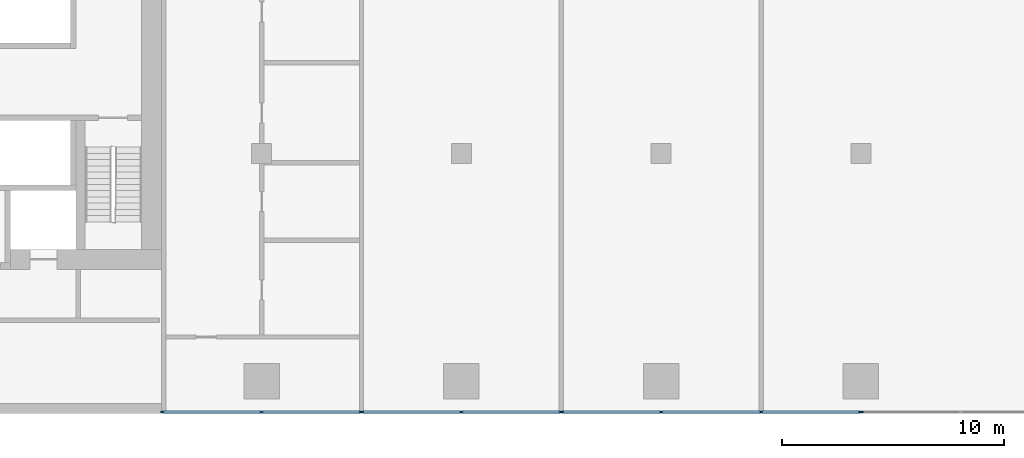
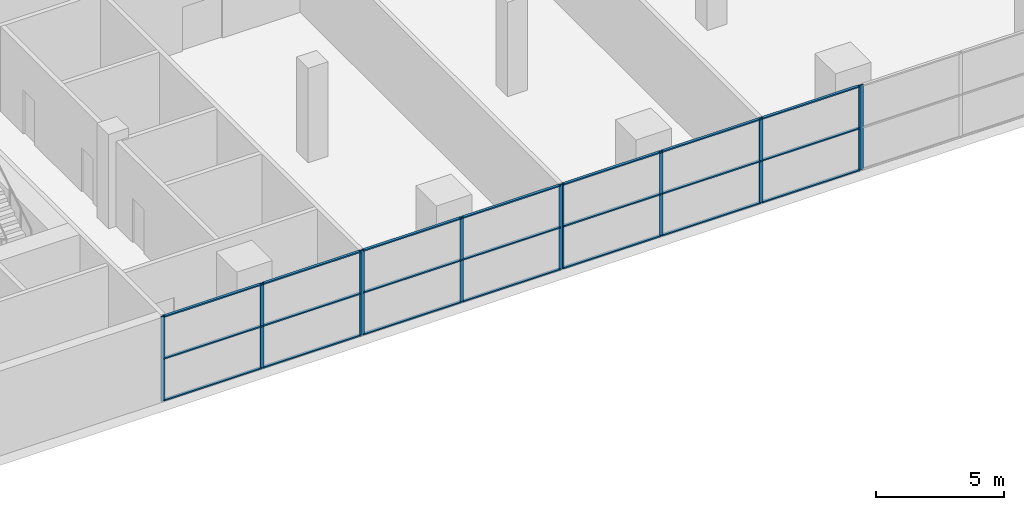
# One storey, part 2 of 19: 32 members, 4 elements without a shape of their own.
"""IFC4 building model written with IfcOpenShell, lengths in metres."""

from ifc_helpers import new_model, si_unit, direction, frame, origin, origin_2d, place, context, subcontext, project, spatial, rectangle, extrude, material, material_profile, profile_set, type_object, element, aggregate, save


model = new_model("IFC4")

# Units and contexts
model_context = context("Model", 3, precision=1e-05, world=origin(), true_north=direction((0.0, 1.0)))
body_context = subcontext(model_context, "Body", "Model", "MODEL_VIEW")
ifc_project = project(units=[si_unit("LENGTHUNIT", "METRE"), si_unit("AREAUNIT", "SQUARE_METRE"), si_unit("VOLUMEUNIT", "CUBIC_METRE"), si_unit("PLANEANGLEUNIT", "RADIAN"), si_unit("MASSUNIT", "GRAM", prefix="KILO")], contexts=[model_context])

# Site, building, storey
site_placement = place(None, origin())
site = spatial("IfcSite", under=ifc_project, at=site_placement, CompositionType="ELEMENT")
building_placement = place(site_placement, origin())
building = spatial("IfcBuilding", under=site, at=building_placement, Name="Kajstack Hotel Tower", CompositionType="ELEMENT")
storey_placement = place(building_placement, frame((0.0, 0.0, 33.5)))
storey = spatial("IfcBuildingStorey", under=building, at=storey_placement, Name="L05", CompositionType="ELEMENT", Elevation=33.5)

# Curtain wall, members
ifc_material_1 = material(Name="Aluminium-framed curtain wall, solar-control glass", Category="aluminium")
curtain_wall_type = type_object("IfcCurtainWallType", Name="CW-CLUB", PredefinedType="NOTDEFINED", material=ifc_material_1)
curtain_wall_1_placement = place(storey_placement, origin())
curtain_wall_1 = element("IfcCurtainWall", 1, at=curtain_wall_1_placement, inside=storey, type_object=curtain_wall_type, Name="Curtain wall CU4 L05-03-02-0", PredefinedType="NOTDEFINED")
ifc_material_2 = material(Name="Aluminium", Category="aluminium")
ifc_material_profile_1 = material_profile(ifc_material_2, rectangle(XDim=0.06005859375, YDim=0.159912109375, at=origin_2d()), Name="Aluminium mullion 60 x 160")
ifc_profile_set_1 = profile_set([ifc_material_profile_1], Name="Aluminium")
member_type_1 = type_object("IfcMemberType", Name="CW-M-CLUB", PredefinedType="MULLION", material=ifc_profile_set_1)
member_1_placement = place(storey_placement, frame((-13.469970703125, -21.925048828125, 0.0), z_axis=(0.0, 0.0, 1.0), x_axis=(0.0, 1.0, 0.0)))
member_1 = element("IfcMember", 2, at=member_1_placement, type_object=member_type_1, Name="CU4 mullion 1", PredefinedType="MULLION", context=body_context, shape_type="SweptSolid", body=[
    extrude(rectangle(XDim=0.06005859375, YDim=0.159912109375, at=origin_2d()), origin(), (0.0, 0.0, 1.0), 4.050048828125),
])
member_2_placement = place(storey_placement, frame((-9.0, -21.925048828125, 0.0), z_axis=(0.0, 0.0, 1.0), x_axis=(0.0, 1.0, 0.0)))
member_2 = element("IfcMember", 3, at=member_2_placement, type_object=member_type_1, Name="CU4 mullion 2", PredefinedType="MULLION", context=body_context, shape_type="SweptSolid", body=[
    extrude(rectangle(XDim=0.06005859375, YDim=0.159912109375, at=origin_2d()), origin(), (0.0, 0.0, 1.0), 4.050048828125),
])
member_3_placement = place(storey_placement, frame((-4.530029296875, -21.925048828125, 0.0), z_axis=(0.0, 0.0, 1.0), x_axis=(0.0, 1.0, 0.0)))
member_3 = element("IfcMember", 4, at=member_3_placement, type_object=member_type_1, Name="CU4 mullion 3", PredefinedType="MULLION", context=body_context, shape_type="SweptSolid", body=[
    extrude(rectangle(XDim=0.06005859375, YDim=0.159912109375, at=origin_2d()), origin(), (0.0, 0.0, 1.0), 4.050048828125),
])

curtain_wall_2_placement = place(storey_placement, origin())
curtain_wall_2 = element("IfcCurtainWall", 5, at=curtain_wall_2_placement, inside=storey, type_object=curtain_wall_type, Name="Curtain wall CU4 L05-03-02-1", PredefinedType="NOTDEFINED")
member_4_placement = place(storey_placement, frame((-4.469970703125, -21.925048828125, 0.0), z_axis=(0.0, 0.0, 1.0), x_axis=(0.0, 1.0, 0.0)))
member_4 = element("IfcMember", 6, at=member_4_placement, type_object=member_type_1, Name="CU4 mullion 1", PredefinedType="MULLION", context=body_context, shape_type="SweptSolid", body=[
    extrude(rectangle(XDim=0.06005859375, YDim=0.159912109375, at=origin_2d()), origin(), (0.0, 0.0, 1.0), 4.050048828125),
])
member_5_placement = place(storey_placement, frame((0.0, -21.925048828125, 0.0), z_axis=(0.0, 0.0, 1.0), x_axis=(0.0, 1.0, 0.0)))
member_5 = element("IfcMember", 7, at=member_5_placement, type_object=member_type_1, Name="CU4 mullion 2", PredefinedType="MULLION", context=body_context, shape_type="SweptSolid", body=[
    extrude(rectangle(XDim=0.06005859375, YDim=0.159912109375, at=origin_2d()), origin(), (0.0, 0.0, 1.0), 4.050048828125),
])
member_6_placement = place(storey_placement, frame((4.469970703125, -21.925048828125, 0.0), z_axis=(0.0, 0.0, 1.0), x_axis=(0.0, 1.0, 0.0)))
member_6 = element("IfcMember", 8, at=member_6_placement, type_object=member_type_1, Name="CU4 mullion 3", PredefinedType="MULLION", context=body_context, shape_type="SweptSolid", body=[
    extrude(rectangle(XDim=0.06005859375, YDim=0.159912109375, at=origin_2d()), origin(), (0.0, 0.0, 1.0), 4.050048828125),
])

curtain_wall_3_placement = place(storey_placement, origin())
curtain_wall_3 = element("IfcCurtainWall", 9, at=curtain_wall_3_placement, inside=storey, type_object=curtain_wall_type, Name="Curtain wall CU4 L05-03-02-2", PredefinedType="NOTDEFINED")
member_7_placement = place(storey_placement, frame((4.530029296875, -21.925048828125, 0.0), z_axis=(0.0, 0.0, 1.0), x_axis=(0.0, 1.0, 0.0)))
member_7 = element("IfcMember", 10, at=member_7_placement, type_object=member_type_1, Name="CU4 mullion 1", PredefinedType="MULLION", context=body_context, shape_type="SweptSolid", body=[
    extrude(rectangle(XDim=0.06005859375, YDim=0.159912109375, at=origin_2d()), origin(), (0.0, 0.0, 1.0), 4.050048828125),
])
member_8_placement = place(storey_placement, frame((9.0, -21.925048828125, 0.0), z_axis=(0.0, 0.0, 1.0), x_axis=(0.0, 1.0, 0.0)))
member_8 = element("IfcMember", 11, at=member_8_placement, type_object=member_type_1, Name="CU4 mullion 2", PredefinedType="MULLION", context=body_context, shape_type="SweptSolid", body=[
    extrude(rectangle(XDim=0.06005859375, YDim=0.159912109375, at=origin_2d()), origin(), (0.0, 0.0, 1.0), 4.050048828125),
])
member_9_placement = place(storey_placement, frame((13.5, -21.925048828125, 0.0), z_axis=(0.0, 0.0, 1.0), x_axis=(0.0, 1.0, 0.0)))
member_9 = element("IfcMember", 12, at=member_9_placement, type_object=member_type_1, Name="CU4 mullion 3", PredefinedType="MULLION", context=body_context, shape_type="SweptSolid", body=[
    extrude(rectangle(XDim=0.06005859375, YDim=0.159912109375, at=origin_2d()), origin(), (0.0, 0.0, 1.0), 4.050048828125),
])
member_10_placement = place(storey_placement, frame((17.969970703125, -21.925048828125, 0.0), z_axis=(0.0, 0.0, 1.0), x_axis=(0.0, 1.0, 0.0)))
member_10 = element("IfcMember", 13, at=member_10_placement, type_object=member_type_1, Name="CU4 mullion 4", PredefinedType="MULLION", context=body_context, shape_type="SweptSolid", body=[
    extrude(rectangle(XDim=0.06005859375, YDim=0.159912109375, at=origin_2d()), origin(), (0.0, 0.0, 1.0), 4.050048828125),
])

# Curtain wall, member
curtain_wall_4_placement = place(storey_placement, origin())
curtain_wall_4 = element("IfcCurtainWall", 14, at=curtain_wall_4_placement, inside=storey, type_object=curtain_wall_type, Name="Curtain wall CU4 L05-03-02-3", PredefinedType="NOTDEFINED")
member_11_placement = place(storey_placement, frame((18.030029296875, -21.925048828125, 0.0), z_axis=(0.0, 0.0, 1.0), x_axis=(0.0, 1.0, 0.0)))
member_11 = element("IfcMember", 15, at=member_11_placement, type_object=member_type_1, Name="CU4 mullion 1", PredefinedType="MULLION", context=body_context, shape_type="SweptSolid", body=[
    extrude(rectangle(XDim=0.06005859375, YDim=0.159912109375, at=origin_2d()), origin(), (0.0, 0.0, 1.0), 4.050048828125),
])
aggregate(curtain_wall_4, [member_11])

# Member
ifc_material_profile_2 = material_profile(ifc_material_2, rectangle(XDim=0.1201171875, YDim=0.06005859375, at=origin_2d()), Name="Aluminium transom 120 x 60")
ifc_profile_set_2 = profile_set([ifc_material_profile_2], Name="Aluminium")
member_type_2 = type_object("IfcMemberType", Name="CW-T-CLUB", PredefinedType="USERDEFINED", material=ifc_profile_set_2)
member_12_placement = place(storey_placement, frame((-13.43994140625, -21.925048828125, 0.030029296875), z_axis=(1.0, 0.0, 0.0), x_axis=(0.0, 1.0, 0.0)))
member_12 = element("IfcMember", 16, at=member_12_placement, type_object=member_type_2, Name="CU4 transom 1.1", ObjectType="TRANSOM", PredefinedType="USERDEFINED", context=body_context, shape_type="SweptSolid", body=[
    extrude(rectangle(XDim=0.1201171875, YDim=0.06005859375, at=origin_2d()), origin(), (0.0, 0.0, 1.0), 4.409912109375),
])

member_13_placement = place(storey_placement, frame((-13.43994140625, -21.925048828125, 2.02490234375), z_axis=(1.0, 0.0, 0.0), x_axis=(0.0, 1.0, 0.0)))
member_13 = element("IfcMember", 17, at=member_13_placement, type_object=member_type_2, Name="CU4 transom 1.2", ObjectType="TRANSOM", PredefinedType="USERDEFINED", context=body_context, shape_type="SweptSolid", body=[
    extrude(rectangle(XDim=0.1201171875, YDim=0.06005859375, at=origin_2d()), origin(), (0.0, 0.0, 1.0), 4.409912109375),
])

member_14_placement = place(storey_placement, frame((-13.43994140625, -21.925048828125, 4.02001953125), z_axis=(1.0, 0.0, 0.0), x_axis=(0.0, 1.0, 0.0)))
member_14 = element("IfcMember", 18, at=member_14_placement, type_object=member_type_2, Name="CU4 transom 1.3", ObjectType="TRANSOM", PredefinedType="USERDEFINED", context=body_context, shape_type="SweptSolid", body=[
    extrude(rectangle(XDim=0.1201171875, YDim=0.06005859375, at=origin_2d()), origin(), (0.0, 0.0, 1.0), 4.409912109375),
])

member_15_placement = place(storey_placement, frame((-8.969970703125, -21.925048828125, 0.030029296875), z_axis=(1.0, 0.0, 0.0), x_axis=(0.0, 1.0, 0.0)))
member_15 = element("IfcMember", 19, at=member_15_placement, type_object=member_type_2, Name="CU4 transom 2.1", ObjectType="TRANSOM", PredefinedType="USERDEFINED", context=body_context, shape_type="SweptSolid", body=[
    extrude(rectangle(XDim=0.1201171875, YDim=0.06005859375, at=origin_2d()), origin(), (0.0, 0.0, 1.0), 4.409912109375),
])

member_16_placement = place(storey_placement, frame((-8.969970703125, -21.925048828125, 2.02490234375), z_axis=(1.0, 0.0, 0.0), x_axis=(0.0, 1.0, 0.0)))
member_16 = element("IfcMember", 20, at=member_16_placement, type_object=member_type_2, Name="CU4 transom 2.2", ObjectType="TRANSOM", PredefinedType="USERDEFINED", context=body_context, shape_type="SweptSolid", body=[
    extrude(rectangle(XDim=0.1201171875, YDim=0.06005859375, at=origin_2d()), origin(), (0.0, 0.0, 1.0), 4.409912109375),
])

member_17_placement = place(storey_placement, frame((-8.969970703125, -21.925048828125, 4.02001953125), z_axis=(1.0, 0.0, 0.0), x_axis=(0.0, 1.0, 0.0)))
member_17 = element("IfcMember", 21, at=member_17_placement, type_object=member_type_2, Name="CU4 transom 2.3", ObjectType="TRANSOM", PredefinedType="USERDEFINED", context=body_context, shape_type="SweptSolid", body=[
    extrude(rectangle(XDim=0.1201171875, YDim=0.06005859375, at=origin_2d()), origin(), (0.0, 0.0, 1.0), 4.409912109375),
])

aggregate(curtain_wall_1, [member_1, member_2, member_3, member_12, member_13, member_14, member_15, member_16, member_17])

member_18_placement = place(storey_placement, frame((-4.43994140625, -21.925048828125, 0.030029296875), z_axis=(1.0, 0.0, 0.0), x_axis=(0.0, 1.0, 0.0)))
member_18 = element("IfcMember", 22, at=member_18_placement, type_object=member_type_2, Name="CU4 transom 1.1", ObjectType="TRANSOM", PredefinedType="USERDEFINED", context=body_context, shape_type="SweptSolid", body=[
    extrude(rectangle(XDim=0.1201171875, YDim=0.06005859375, at=origin_2d()), origin(), (0.0, 0.0, 1.0), 4.409912109375),
])

member_19_placement = place(storey_placement, frame((-4.43994140625, -21.925048828125, 2.02490234375), z_axis=(1.0, 0.0, 0.0), x_axis=(0.0, 1.0, 0.0)))
member_19 = element("IfcMember", 23, at=member_19_placement, type_object=member_type_2, Name="CU4 transom 1.2", ObjectType="TRANSOM", PredefinedType="USERDEFINED", context=body_context, shape_type="SweptSolid", body=[
    extrude(rectangle(XDim=0.1201171875, YDim=0.06005859375, at=origin_2d()), origin(), (0.0, 0.0, 1.0), 4.409912109375),
])

member_20_placement = place(storey_placement, frame((-4.43994140625, -21.925048828125, 4.02001953125), z_axis=(1.0, 0.0, 0.0), x_axis=(0.0, 1.0, 0.0)))
member_20 = element("IfcMember", 24, at=member_20_placement, type_object=member_type_2, Name="CU4 transom 1.3", ObjectType="TRANSOM", PredefinedType="USERDEFINED", context=body_context, shape_type="SweptSolid", body=[
    extrude(rectangle(XDim=0.1201171875, YDim=0.06005859375, at=origin_2d()), origin(), (0.0, 0.0, 1.0), 4.409912109375),
])

member_21_placement = place(storey_placement, frame((0.030029296875, -21.925048828125, 0.030029296875), z_axis=(1.0, 0.0, 0.0), x_axis=(0.0, 1.0, 0.0)))
member_21 = element("IfcMember", 25, at=member_21_placement, type_object=member_type_2, Name="CU4 transom 2.1", ObjectType="TRANSOM", PredefinedType="USERDEFINED", context=body_context, shape_type="SweptSolid", body=[
    extrude(rectangle(XDim=0.1201171875, YDim=0.06005859375, at=origin_2d()), origin(), (0.0, 0.0, 1.0), 4.409912109375),
])

member_22_placement = place(storey_placement, frame((0.030029296875, -21.925048828125, 2.02490234375), z_axis=(1.0, 0.0, 0.0), x_axis=(0.0, 1.0, 0.0)))
member_22 = element("IfcMember", 26, at=member_22_placement, type_object=member_type_2, Name="CU4 transom 2.2", ObjectType="TRANSOM", PredefinedType="USERDEFINED", context=body_context, shape_type="SweptSolid", body=[
    extrude(rectangle(XDim=0.1201171875, YDim=0.06005859375, at=origin_2d()), origin(), (0.0, 0.0, 1.0), 4.409912109375),
])

member_23_placement = place(storey_placement, frame((0.030029296875, -21.925048828125, 4.02001953125), z_axis=(1.0, 0.0, 0.0), x_axis=(0.0, 1.0, 0.0)))
member_23 = element("IfcMember", 27, at=member_23_placement, type_object=member_type_2, Name="CU4 transom 2.3", ObjectType="TRANSOM", PredefinedType="USERDEFINED", context=body_context, shape_type="SweptSolid", body=[
    extrude(rectangle(XDim=0.1201171875, YDim=0.06005859375, at=origin_2d()), origin(), (0.0, 0.0, 1.0), 4.409912109375),
])

aggregate(curtain_wall_2, [member_4, member_5, member_6, member_18, member_19, member_20, member_21, member_22, member_23])

member_24_placement = place(storey_placement, frame((4.56005859375, -21.925048828125, 0.030029296875), z_axis=(1.0, 0.0, 0.0), x_axis=(0.0, 1.0, 0.0)))
member_24 = element("IfcMember", 28, at=member_24_placement, type_object=member_type_2, Name="CU4 transom 1.1", ObjectType="TRANSOM", PredefinedType="USERDEFINED", context=body_context, shape_type="SweptSolid", body=[
    extrude(rectangle(XDim=0.1201171875, YDim=0.06005859375, at=origin_2d()), origin(), (0.0, 0.0, 1.0), 4.409912109375),
])

member_25_placement = place(storey_placement, frame((4.56005859375, -21.925048828125, 2.02490234375), z_axis=(1.0, 0.0, 0.0), x_axis=(0.0, 1.0, 0.0)))
member_25 = element("IfcMember", 29, at=member_25_placement, type_object=member_type_2, Name="CU4 transom 1.2", ObjectType="TRANSOM", PredefinedType="USERDEFINED", context=body_context, shape_type="SweptSolid", body=[
    extrude(rectangle(XDim=0.1201171875, YDim=0.06005859375, at=origin_2d()), origin(), (0.0, 0.0, 1.0), 4.409912109375),
])

member_26_placement = place(storey_placement, frame((4.56005859375, -21.925048828125, 4.02001953125), z_axis=(1.0, 0.0, 0.0), x_axis=(0.0, 1.0, 0.0)))
member_26 = element("IfcMember", 30, at=member_26_placement, type_object=member_type_2, Name="CU4 transom 1.3", ObjectType="TRANSOM", PredefinedType="USERDEFINED", context=body_context, shape_type="SweptSolid", body=[
    extrude(rectangle(XDim=0.1201171875, YDim=0.06005859375, at=origin_2d()), origin(), (0.0, 0.0, 1.0), 4.409912109375),
])

member_27_placement = place(storey_placement, frame((9.030029296875, -21.925048828125, 0.030029296875), z_axis=(1.0, 0.0, 0.0), x_axis=(0.0, 1.0, 0.0)))
member_27 = element("IfcMember", 31, at=member_27_placement, type_object=member_type_2, Name="CU4 transom 2.1", ObjectType="TRANSOM", PredefinedType="USERDEFINED", context=body_context, shape_type="SweptSolid", body=[
    extrude(rectangle(XDim=0.1201171875, YDim=0.06005859375, at=origin_2d()), origin(), (0.0, 0.0, 1.0), 4.43994140625),
])

member_28_placement = place(storey_placement, frame((9.030029296875, -21.925048828125, 2.02490234375), z_axis=(1.0, 0.0, 0.0), x_axis=(0.0, 1.0, 0.0)))
member_28 = element("IfcMember", 32, at=member_28_placement, type_object=member_type_2, Name="CU4 transom 2.2", ObjectType="TRANSOM", PredefinedType="USERDEFINED", context=body_context, shape_type="SweptSolid", body=[
    extrude(rectangle(XDim=0.1201171875, YDim=0.06005859375, at=origin_2d()), origin(), (0.0, 0.0, 1.0), 4.43994140625),
])

member_29_placement = place(storey_placement, frame((9.030029296875, -21.925048828125, 4.02001953125), z_axis=(1.0, 0.0, 0.0), x_axis=(0.0, 1.0, 0.0)))
member_29 = element("IfcMember", 33, at=member_29_placement, type_object=member_type_2, Name="CU4 transom 2.3", ObjectType="TRANSOM", PredefinedType="USERDEFINED", context=body_context, shape_type="SweptSolid", body=[
    extrude(rectangle(XDim=0.1201171875, YDim=0.06005859375, at=origin_2d()), origin(), (0.0, 0.0, 1.0), 4.43994140625),
])

member_30_placement = place(storey_placement, frame((13.530029296875, -21.925048828125, 0.030029296875), z_axis=(1.0, 0.0, 0.0), x_axis=(0.0, 1.0, 0.0)))
member_30 = element("IfcMember", 34, at=member_30_placement, type_object=member_type_2, Name="CU4 transom 3.1", ObjectType="TRANSOM", PredefinedType="USERDEFINED", context=body_context, shape_type="SweptSolid", body=[
    extrude(rectangle(XDim=0.1201171875, YDim=0.06005859375, at=origin_2d()), origin(), (0.0, 0.0, 1.0), 4.409912109375),
])

member_31_placement = place(storey_placement, frame((13.530029296875, -21.925048828125, 2.02490234375), z_axis=(1.0, 0.0, 0.0), x_axis=(0.0, 1.0, 0.0)))
member_31 = element("IfcMember", 35, at=member_31_placement, type_object=member_type_2, Name="CU4 transom 3.2", ObjectType="TRANSOM", PredefinedType="USERDEFINED", context=body_context, shape_type="SweptSolid", body=[
    extrude(rectangle(XDim=0.1201171875, YDim=0.06005859375, at=origin_2d()), origin(), (0.0, 0.0, 1.0), 4.409912109375),
])

member_32_placement = place(storey_placement, frame((13.530029296875, -21.925048828125, 4.02001953125), z_axis=(1.0, 0.0, 0.0), x_axis=(0.0, 1.0, 0.0)))
member_32 = element("IfcMember", 36, at=member_32_placement, type_object=member_type_2, Name="CU4 transom 3.3", ObjectType="TRANSOM", PredefinedType="USERDEFINED", context=body_context, shape_type="SweptSolid", body=[
    extrude(rectangle(XDim=0.1201171875, YDim=0.06005859375, at=origin_2d()), origin(), (0.0, 0.0, 1.0), 4.409912109375),
])

aggregate(curtain_wall_3, [member_7, member_8, member_9, member_10, member_24, member_25, member_26, member_27, member_28, member_29, member_30, member_31, member_32])

save(model, "model.ifc")
